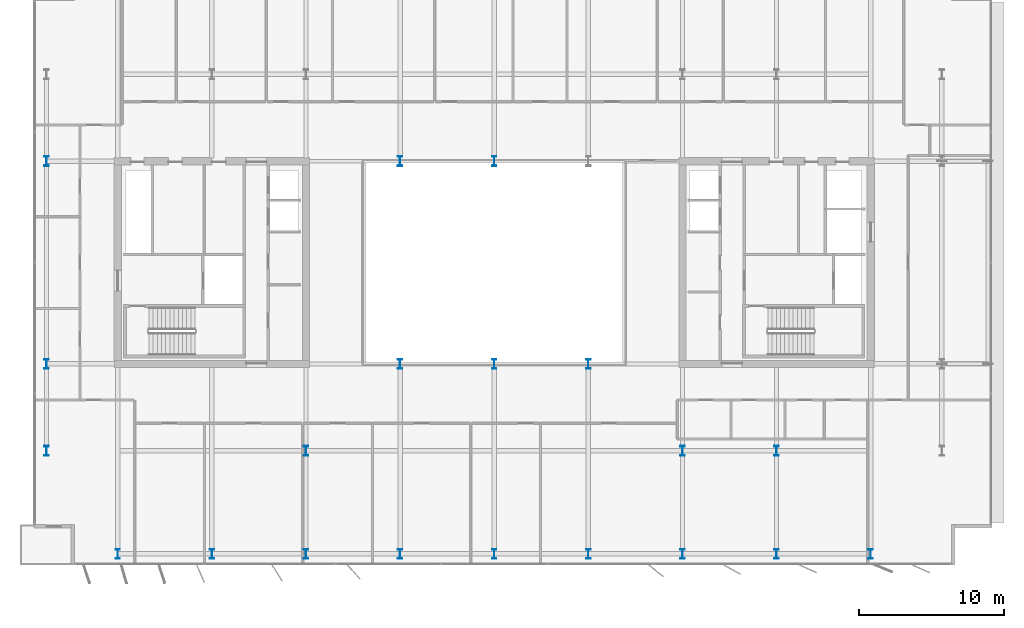
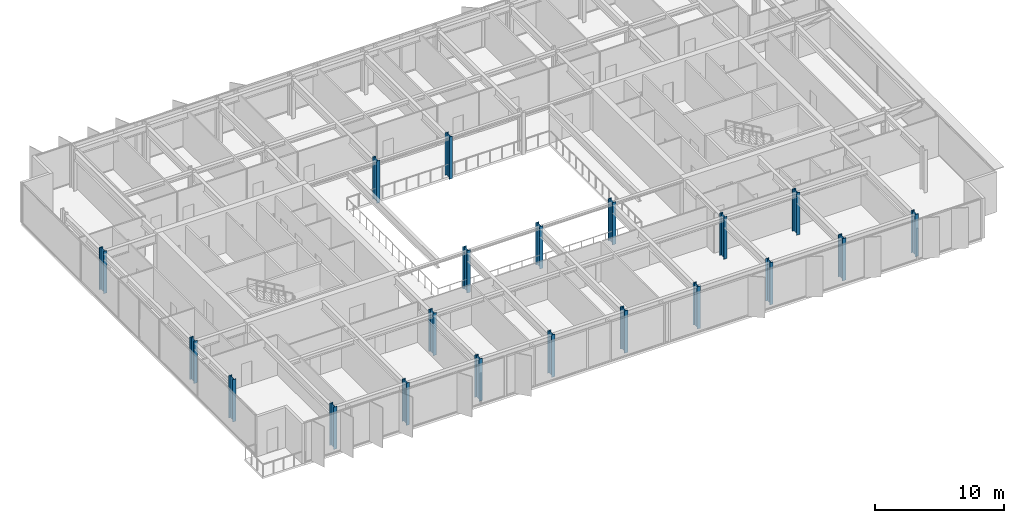
# One storey, part 1 of 20: 20 columns.
"""IFC4 building model written with IfcOpenShell, lengths in metres."""

from ifc_helpers import new_model, si_unit, direction, frame, origin, origin_2d, place, context, subcontext, project, spatial, i_section, extrude, material, material_profile, profile_set, type_object, element, save


model = new_model("IFC4")

# Units and contexts
model_context = context("Model", 3, precision=1e-05, world=origin(), true_north=direction((0.0, 1.0)))
body_context = subcontext(model_context, "Body", "Model", "MODEL_VIEW")
ifc_project = project(units=[si_unit("LENGTHUNIT", "METRE"), si_unit("AREAUNIT", "SQUARE_METRE"), si_unit("VOLUMEUNIT", "CUBIC_METRE"), si_unit("PLANEANGLEUNIT", "RADIAN"), si_unit("MASSUNIT", "GRAM", prefix="KILO")], contexts=[model_context])

# Site, building, storey
site_placement = place(None, origin())
site = spatial("IfcSite", under=ifc_project, at=site_placement, CompositionType="ELEMENT")
building_placement = place(site_placement, origin())
building = spatial("IfcBuilding", under=site, at=building_placement, Name="Putna Gate Headquarters", CompositionType="ELEMENT")
storey_placement = place(building_placement, frame((0.0, 0.0, 290.39990234375)))
storey = spatial("IfcBuildingStorey", under=building, at=storey_placement, Name="L73", CompositionType="ELEMENT", Elevation=290.39990234375)

# Columns
ifc_material = material(Name="Steel S460M", Category="steel")
ifc_material_profile_1 = material_profile(ifc_material, i_section(OverallWidth=0.304931640625, OverallDepth=0.66796875, WebThickness=0.02099609375, FlangeThickness=0.0400390625, at=origin_2d()), Name="Steel S460M")
ifc_profile_set_1 = profile_set([ifc_material_profile_1], Name="Steel S460M")
column_type_1 = type_object("IfcColumnType", Name="COL-STL-HEM650-EXT", PredefinedType="COLUMN", material=ifc_profile_set_1)
for number, where, z_axis, x_axis, name in (
    (1, (13.0, 5.8798828125, 0.0), (0.0, 0.0, 1.0), (1.0, 0.0, 0.0), "L73 Column CP-S13"),
    (2, (19.5, 5.8798828125, 0.0), (0.0, 0.0, 1.0), (1.0, 0.0, 0.0), "L73 Column CP-S19"),
    (3, (26.0, 5.8798828125, 0.0), (0.0, 0.0, 1.0), (1.0, 0.0, 0.0), "L73 Column CP-S26"),
    (4, (32.5, 5.8798828125, 0.0), (0.0, 0.0, 1.0), (1.0, 0.0, 0.0), "L73 Column CP-S32"),
    (5, (39.0, 5.8798828125, 0.0), (0.0, 0.0, 1.0), (1.0, 0.0, 0.0), "L73 Column CP-S39"),
    (6, (45.5, 5.8798828125, 0.0), (0.0, 0.0, 1.0), (1.0, 0.0, 0.0), "L73 Column CP-S45"),
    (7, (52.0, 5.8798828125, 0.0), (0.0, 0.0, 1.0), (1.0, 0.0, 0.0), "L73 Column CP-S52"),
    (8, (58.5, 5.8798828125, 0.0), (0.0, 0.0, 1.0), (1.0, 0.0, 0.0), "L73 Column CP-S58"),
    (9, (65.0, 5.8798828125, 0.0), (0.0, 0.0, 1.0), (1.0, 0.0, 0.0), "L73 Column CP-S65"),
    (10, (8.080078125, 13.0, 0.0), (0.0, 0.0, 1.0), (1.0, 0.0, 0.0), "L73 Column CP-W13"),
    (11, (8.080078125, 19.0, 0.0), (0.0, 0.0, 1.0), (1.0, 0.0, 0.0), "L73 Column CP-W19"),
    (12, (8.080078125, 33.0, 0.0), (0.0, 0.0, 1.0), (1.0, 0.0, 0.0), "L73 Column CP-W33"),
):
    element("IfcColumn", number, at=place(storey_placement, frame(where, z_axis=z_axis, x_axis=x_axis)), inside=storey, type_object=column_type_1, Name=name, PredefinedType="COLUMN", context=body_context, shape_type="SweptSolid", body=[
        extrude(i_section(OverallWidth=0.304931640625, OverallDepth=0.66796875, WebThickness=0.02099609375, FlangeThickness=0.0400390625, at=origin_2d()), origin(), (0.0, 0.0, 1.0), 4.0),
    ])
ifc_material_profile_2 = material_profile(ifc_material, i_section(OverallWidth=0.304931640625, OverallDepth=0.66796875, WebThickness=0.02099609375, FlangeThickness=0.0400390625, at=origin_2d()), Name="Steel S460M")
ifc_profile_set_2 = profile_set([ifc_material_profile_2], Name="Steel S460M")
column_type_2 = type_object("IfcColumnType", Name="COL-STL-HEM650-INT", PredefinedType="COLUMN", material=ifc_profile_set_2)
for number, where, z_axis, x_axis, name in (
    (13, (58.5, 13.0, 0.0), (0.0, 0.0, 1.0), (1.0, 0.0, 0.0), "L73 Column CSI-ES"),
    (14, (32.5, 19.0, 0.0), (0.0, 0.0, 1.0), (1.0, 0.0, 0.0), "L73 Column CAI-S32"),
    (15, (32.5, 33.0, 0.0), (0.0, 0.0, 1.0), (1.0, 0.0, 0.0), "L73 Column CAI-N32"),
    (16, (39.0, 19.0, 0.0), (0.0, 0.0, 1.0), (1.0, 0.0, 0.0), "L73 Column CAI-S39"),
    (17, (39.0, 33.0, 0.0), (0.0, 0.0, 1.0), (1.0, 0.0, 0.0), "L73 Column CAI-N39"),
    (18, (45.5, 19.0, 0.0), (0.0, 0.0, 1.0), (1.0, 0.0, 0.0), "L73 Column CAI-S45"),
    (19, (26.0, 13.0, 0.0), (0.0, 0.0, 1.0), (1.0, 0.0, 0.0), "L73 Column CAP-WS"),
    (20, (52.0, 13.0, 0.0), (0.0, 0.0, 1.0), (1.0, 0.0, 0.0), "L73 Column CAP-ES"),
):
    element("IfcColumn", number, at=place(storey_placement, frame(where, z_axis=z_axis, x_axis=x_axis)), inside=storey, type_object=column_type_2, Name=name, PredefinedType="COLUMN", context=body_context, shape_type="SweptSolid", body=[
        extrude(i_section(OverallWidth=0.304931640625, OverallDepth=0.66796875, WebThickness=0.02099609375, FlangeThickness=0.0400390625, at=origin_2d()), origin(), (0.0, 0.0, 1.0), 4.0),
    ])

save(model, "model.ifc")
